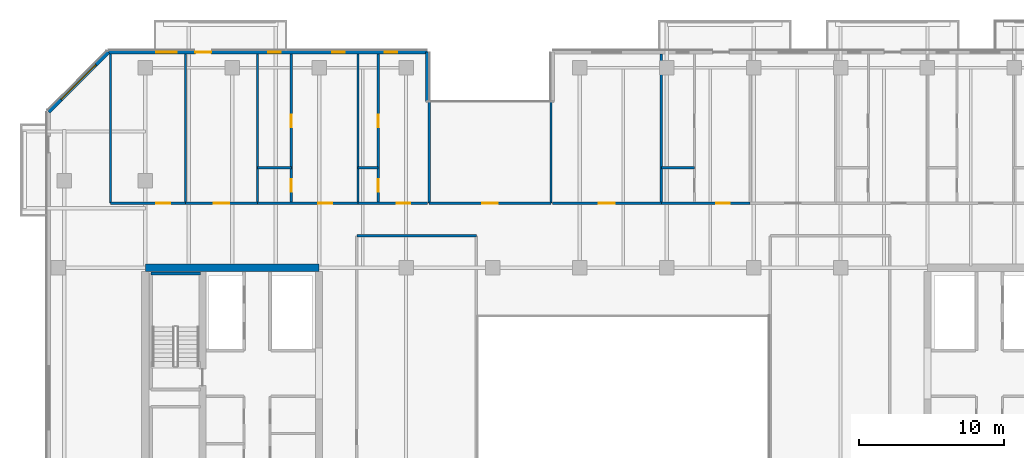
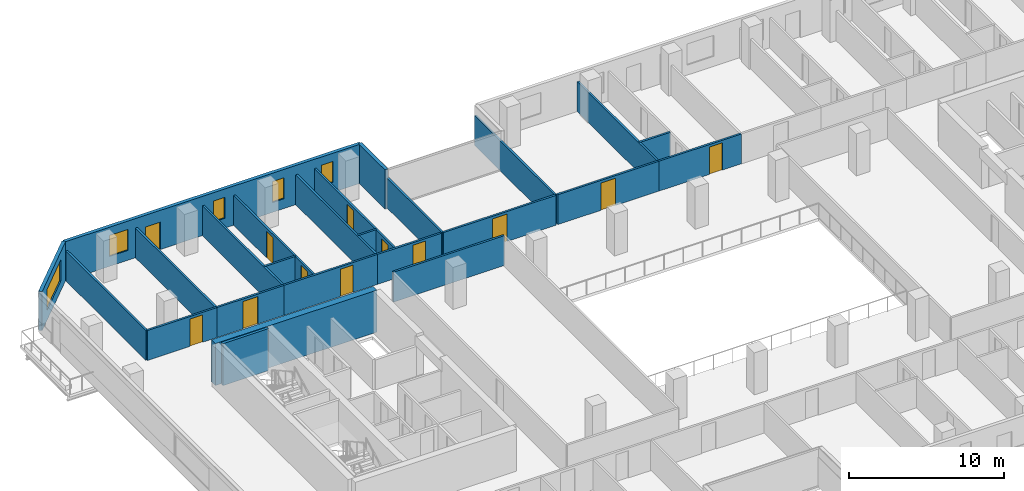
# One storey, part 13 of 23: 25 walls, 12 doors, 5 windows, 17 openings.
"""IFC4 building model written with IfcOpenShell, lengths in metres."""

from ifc_helpers import new_model, si_unit, direction, frame, frame_2d, origin, place, context, subcontext, project, spatial, rectangle, extrude, material, layer, layer_set, type_object, element, fill, save


model = new_model("IFC4")

# Units and contexts
model_context = context("Model", 3, precision=1e-05, world=origin(), true_north=direction((0.0, 1.0)))
body_context = subcontext(model_context, "Body", "Model", "MODEL_VIEW")
ifc_project = project(units=[si_unit("LENGTHUNIT", "METRE"), si_unit("AREAUNIT", "SQUARE_METRE"), si_unit("VOLUMEUNIT", "CUBIC_METRE"), si_unit("PLANEANGLEUNIT", "RADIAN"), si_unit("MASSUNIT", "GRAM", prefix="KILO")], contexts=[model_context])

# Site, building, storey
site_placement = place(None, origin())
site = spatial("IfcSite", under=ifc_project, at=site_placement, CompositionType="ELEMENT")
building_placement = place(site_placement, origin())
building = spatial("IfcBuilding", under=site, at=building_placement, Name="Tanjung Sevakor Pilgrim Tower", CompositionType="ELEMENT")
storey_placement = place(building_placement, frame((0.0, 0.0, 101.969970703125)))
storey = spatial("IfcBuildingStorey", under=building, at=storey_placement, Name="L28", CompositionType="ELEMENT", Elevation=101.969970703125)

# Walls
ifc_material_1 = material(Name="Concrete C60/75", Category="concrete")
ifc_layer_1 = layer(ifc_material_1, 0.5)
ifc_layer_set_1 = layer_set([ifc_layer_1], Name="WALL-CW-500")
wall_type_1 = type_object("IfcWallType", Name="WALL-CW-500", PredefinedType="SHEAR", material=ifc_layer_set_1)
wall_1_placement = place(storey_placement, frame((36.0, 42.60009765625, 0.0), z_axis=(0.0, 0.0, 1.0), x_axis=(-1.0, 0.0, 0.0)))
element("IfcWall", 1, at=wall_1_placement, inside=storey, type_object=wall_type_1, Name="L28 W Core North Shear Wall", PredefinedType="SHEAR", context=body_context, shape_type="SweptSolid", body=[
    extrude(rectangle(XDim=12.0, YDim=0.5, at=frame_2d((6.0, 0.0))), origin(), (0.0, 0.0, 1.0), 3.300048828125),
])
ifc_material_2 = material(Name="Concrete C40/50", Category="concrete")
ifc_layer_2 = layer(ifc_material_2, 0.14990234375)
ifc_layer_set_2 = layer_set([ifc_layer_2], Name="WT-COMP-150")
wall_type_2 = type_object("IfcWallType", Name="WT-COMP-150", PredefinedType="SOLIDWALL", material=ifc_layer_set_2)
wall_2_placement = place(storey_placement, frame((38.60009765625, 44.800048828125, 0.0), z_axis=(0.0, 0.0, 1.0), x_axis=(1.0, 0.0, 0.0)))
element("IfcWall", 2, at=wall_2_placement, inside=storey, type_object=wall_type_2, Name="L28 Partition IW-L28-026", PredefinedType="SOLIDWALL", context=body_context, shape_type="SweptSolid", body=[
    extrude(rectangle(XDim=8.25, YDim=0.14990234375, at=frame_2d((4.125, 0.0))), origin(), (0.0, 0.0, 1.0), 2.35009765625),
])

# Wall, opening, door
wall_3_placement = place(storey_placement, frame((43.60009765625, 47.050048828125, 0.0), z_axis=(0.0, 0.0, 1.0), x_axis=(1.0, 0.0, 0.0)))
wall_3 = element("IfcWall", 3, at=wall_3_placement, inside=storey, type_object=wall_type_2, Name="L28 Partition IW-L28-044", PredefinedType="SOLIDWALL", context=body_context, shape_type="SweptSolid", body=[
    extrude(rectangle(XDim=8.39990234375, YDim=0.14990234375, at=frame_2d((4.199951171875, 0.0))), origin(), (0.0, 0.0, 1.0), 2.35009765625),
])
opening_1_placement = place(wall_3_placement, frame((3.64990234375, 0.0, 0.0)))
opening_1 = element("IfcOpeningElement", 4, at=opening_1_placement, cuts=wall_3, Name="Opening ID-RM2", PredefinedType="OPENING", context=body_context, shape_type="SweptSolid", body=[
    extrude(rectangle(XDim=1.10009765625, YDim=2.14990234375, at=frame_2d((0.550048828125, 1.074951171875))), frame((0.0, 0.0849609375, 0.0), z_axis=(0.0, -1.0, 0.0), x_axis=(1.0, 0.0, 0.0)), (0.0, 0.0, 1.0), 0.169921875),
])
ifc_material_3 = material(Name="Hardwood Timber", Category="wood")
door_type_1 = type_object("IfcDoorType", Name="DT-INT-1100", OperationType="NOTDEFINED", PredefinedType="DOOR", material=ifc_material_3)
door_1_placement = place(opening_1_placement, origin())
door_1 = element("IfcDoor", 5, at=door_1_placement, inside=storey, type_object=door_type_1, Name="L28 North Cleft Prayer Room Door", OperationType="SINGLE_SWING_LEFT", OverallHeight=2.14990234375, OverallWidth=1.10009765625, PredefinedType="DOOR", context=body_context, shape_type="SweptSolid", body=[
    extrude(rectangle(XDim=1.10009765625, YDim=2.14990234375, at=frame_2d((0.550048828125, 1.074951171875))), frame((0.0, 0.02490234375, 0.0), z_axis=(0.0, -1.0, 0.0), x_axis=(1.0, 0.0, 0.0)), (0.0, 0.0, 1.0), 0.050048828125),
])
fill(opening_1, door_1)

# Walls
for number, where, z_axis, x_axis, name in (
    (6, (43.60009765625, 47.050048828125, 0.0), (0.0, 0.0, 1.0), (0.0, 1.0, 0.0), "L28 Partition IW-L28-045"),
    (7, (52.0, 47.050048828125, 0.0), (0.0, 0.0, 1.0), (0.0, 1.0, 0.0), "L28 Partition IW-L28-046"),
    (8, (21.60009765625, 47.050048828125, 0.0), (0.0, 0.0, 1.0), (0.0, 1.0, 0.0), "L28 Partition IW-L28-080"),
    (9, (26.770751953125, 47.050048828125, 0.0), (0.0, 0.0, 1.0), (0.0, 1.0, 0.0), "L28 Partition IW-L28-081"),
):
    element("IfcWall", number, at=place(storey_placement, frame(where, z_axis=z_axis, x_axis=x_axis)), inside=storey, type_object=wall_type_2, Name=name, PredefinedType="SOLIDWALL", context=body_context, shape_type="SweptSolid", body=[
        extrude(rectangle(XDim=10.300048828125, YDim=0.14990234375, at=frame_2d((5.14990234375, 0.0))), origin(), (0.0, 0.0, 1.0), 2.35009765625),
    ])

# Wall, opening, door
wall_4_placement = place(storey_placement, frame((21.60009765625, 47.050048828125, 0.0), z_axis=(0.0, 0.0, 1.0), x_axis=(1.0, 0.0, 0.0)))
wall_4 = element("IfcWall", 10, at=wall_4_placement, inside=storey, type_object=wall_type_2, Name="L28 Partition IW-L28-082", PredefinedType="SOLIDWALL", context=body_context, shape_type="SweptSolid", body=[
    extrude(rectangle(XDim=5.170654296875, YDim=0.14990234375, at=frame_2d((2.58544921875, 0.0))), origin(), (0.0, 0.0, 1.0), 2.35009765625),
])
opening_2_placement = place(wall_4_placement, frame((3.160400390625, 0.0, 0.0)))
opening_2 = element("IfcOpeningElement", 11, at=opening_2_placement, cuts=wall_4, Name="Opening ID-FD2", PredefinedType="OPENING", context=body_context, shape_type="SweptSolid", body=[
    extrude(rectangle(XDim=0.949951171875, YDim=2.14990234375, at=frame_2d((0.47509765625, 1.074951171875))), frame((0.0, 0.0849609375, 0.0), z_axis=(0.0, -1.0, 0.0), x_axis=(1.0, 0.0, 0.0)), (0.0, 0.0, 1.0), 0.169921875),
])
ifc_material_4 = material(Name="Fire-Rated Timber", Category="wood")
door_type_2 = type_object("IfcDoorType", Name="DT-FIRE-950", OperationType="NOTDEFINED", PredefinedType="DOOR", material=ifc_material_4)
door_2_placement = place(opening_2_placement, origin())
door_2 = element("IfcDoor", 12, at=door_2_placement, inside=storey, type_object=door_type_2, Name="Study Room Entrance", OperationType="SINGLE_SWING_RIGHT", OverallHeight=2.14990234375, OverallWidth=0.949951171875, PredefinedType="DOOR", context=body_context, shape_type="SweptSolid", body=[
    extrude(rectangle(XDim=0.949951171875, YDim=2.14990234375, at=frame_2d((0.47509765625, 1.074951171875))), frame((0.0, 0.02490234375, 0.0), z_axis=(0.0, -1.0, 0.0), x_axis=(1.0, 0.0, 0.0)), (0.0, 0.0, 1.0), 0.050048828125),
])
fill(opening_2, door_2)

# Wall
wall_5_placement = place(storey_placement, frame((31.75, 47.050048828125, 0.0), z_axis=(0.0, 0.0, 1.0), x_axis=(0.0, 1.0, 0.0)))
element("IfcWall", 13, at=wall_5_placement, inside=storey, type_object=wall_type_2, Name="L28 Partition IW-L28-083", PredefinedType="SOLIDWALL", context=body_context, shape_type="SweptSolid", body=[
    extrude(rectangle(XDim=10.300048828125, YDim=0.14990234375, at=frame_2d((5.14990234375, 0.0))), origin(), (0.0, 0.0, 1.0), 2.35009765625),
])

# Wall, opening, door
wall_6_placement = place(storey_placement, frame((26.770751953125, 47.050048828125, 0.0), z_axis=(0.0, 0.0, 1.0), x_axis=(1.0, 0.0, 0.0)))
wall_6 = element("IfcWall", 14, at=wall_6_placement, inside=storey, type_object=wall_type_2, Name="L28 Partition IW-L28-084", PredefinedType="SOLIDWALL", context=body_context, shape_type="SweptSolid", body=[
    extrude(rectangle(XDim=4.979248046875, YDim=0.14990234375, at=frame_2d((2.48974609375, 0.0))), origin(), (0.0, 0.0, 1.0), 2.35009765625),
])
opening_3_placement = place(wall_6_placement, frame((1.939697265625, 0.0, 0.0)))
opening_3 = element("IfcOpeningElement", 15, at=opening_3_placement, cuts=wall_6, Name="Opening ID-FD0", PredefinedType="OPENING", context=body_context, shape_type="SweptSolid", body=[
    extrude(rectangle(XDim=1.10009765625, YDim=2.14990234375, at=frame_2d((0.550048828125, 1.074951171875))), frame((0.0, 0.0849609375, 0.0), z_axis=(0.0, -1.0, 0.0), x_axis=(1.0, 0.0, 0.0)), (0.0, 0.0, 1.0), 0.169921875),
])
ifc_material_5 = material(Name="Fire-Rated Steel S355J2", Category="steel")
door_type_3 = type_object("IfcDoorType", Name="DT-FIRE-1100", OperationType="NOTDEFINED", PredefinedType="DOOR", material=ifc_material_5)
door_3_placement = place(opening_3_placement, origin())
door_3 = element("IfcDoor", 16, at=door_3_placement, inside=storey, type_object=door_type_3, Name="Seminar Room Door", OperationType="SINGLE_SWING_LEFT", OverallHeight=2.14990234375, OverallWidth=1.10009765625, PredefinedType="DOOR", context=body_context, shape_type="SweptSolid", body=[
    extrude(rectangle(XDim=1.10009765625, YDim=2.14990234375, at=frame_2d((0.550048828125, 1.074951171875))), frame((0.0, 0.02490234375, 0.0), z_axis=(0.0, -1.0, 0.0), x_axis=(1.0, 0.0, 0.0)), (0.0, 0.0, 1.0), 0.050048828125),
])
fill(opening_3, door_3)

# Wall
wall_7_placement = place(storey_placement, frame((38.6923828125, 47.050048828125, 0.0), z_axis=(0.0, 0.0, 1.0), x_axis=(0.0, 1.0, 0.0)))
element("IfcWall", 17, at=wall_7_placement, inside=storey, type_object=wall_type_2, Name="L28 Partition IW-L28-085", PredefinedType="SOLIDWALL", context=body_context, shape_type="SweptSolid", body=[
    extrude(rectangle(XDim=10.300048828125, YDim=0.14990234375, at=frame_2d((5.14990234375, 0.0))), origin(), (0.0, 0.0, 1.0), 2.35009765625),
])

# Wall, opening, door
wall_8_placement = place(storey_placement, frame((31.75, 47.050048828125, 0.0), z_axis=(0.0, 0.0, 1.0), x_axis=(1.0, 0.0, 0.0)))
wall_8 = element("IfcWall", 18, at=wall_8_placement, inside=storey, type_object=wall_type_2, Name="L28 Partition IW-L28-088", PredefinedType="SOLIDWALL", context=body_context, shape_type="SweptSolid", body=[
    extrude(rectangle(XDim=6.9423828125, YDim=0.14990234375, at=frame_2d((3.47119140625, 0.0))), origin(), (0.0, 0.0, 1.0), 2.35009765625),
])
opening_4_placement = place(wall_8_placement, frame((4.201171875, 0.0, 0.0)))
opening_4 = element("IfcOpeningElement", 19, at=opening_4_placement, cuts=wall_8, Name="Opening ID-FD2", PredefinedType="OPENING", context=body_context, shape_type="SweptSolid", body=[
    extrude(rectangle(XDim=0.949951171875, YDim=2.14990234375, at=frame_2d((0.47509765625, 1.074951171875))), frame((0.0, 0.0849609375, 0.0), z_axis=(0.0, -1.0, 0.0), x_axis=(1.0, 0.0, 0.0)), (0.0, 0.0, 1.0), 0.169921875),
])
door_4_placement = place(opening_4_placement, origin())
door_4 = element("IfcDoor", 20, at=door_4_placement, inside=storey, type_object=door_type_2, Name="Hostel Quad Entrance", OperationType="SINGLE_SWING_RIGHT", OverallHeight=2.14990234375, OverallWidth=0.949951171875, PredefinedType="DOOR", context=body_context, shape_type="SweptSolid", body=[
    extrude(rectangle(XDim=0.949951171875, YDim=2.14990234375, at=frame_2d((0.47509765625, 1.074951171875))), frame((0.0, 0.02490234375, 0.0), z_axis=(0.0, -1.0, 0.0), x_axis=(1.0, 0.0, 0.0)), (0.0, 0.0, 1.0), 0.050048828125),
])
fill(opening_4, door_4)

wall_9_placement = place(storey_placement, frame((38.6923828125, 47.050048828125, 0.0), z_axis=(0.0, 0.0, 1.0), x_axis=(1.0, 0.0, 0.0)))
wall_9 = element("IfcWall", 21, at=wall_9_placement, inside=storey, type_object=wall_type_2, Name="L28 Partition IW-L28-091", PredefinedType="SOLIDWALL", context=body_context, shape_type="SweptSolid", body=[
    extrude(rectangle(XDim=4.78759765625, YDim=0.14990234375, at=frame_2d((2.393798828125, 0.0))), origin(), (0.0, 0.0, 1.0), 2.35009765625),
])
opening_5_placement = place(wall_9_placement, frame((2.652587890625, 0.0, 0.0)))
opening_5 = element("IfcOpeningElement", 22, at=opening_5_placement, cuts=wall_9, Name="Opening ID-FD2", PredefinedType="OPENING", context=body_context, shape_type="SweptSolid", body=[
    extrude(rectangle(XDim=0.949951171875, YDim=2.14990234375, at=frame_2d((0.47509765625, 1.074951171875))), frame((0.0, 0.0849609375, 0.0), z_axis=(0.0, -1.0, 0.0), x_axis=(1.0, 0.0, 0.0)), (0.0, 0.0, 1.0), 0.169921875),
])
door_5_placement = place(opening_5_placement, origin())
door_5 = element("IfcDoor", 23, at=door_5_placement, inside=storey, type_object=door_type_2, Name="Hostel Quad Entrance", OperationType="SINGLE_SWING_LEFT", OverallHeight=2.14990234375, OverallWidth=0.949951171875, PredefinedType="DOOR", context=body_context, shape_type="SweptSolid", body=[
    extrude(rectangle(XDim=0.949951171875, YDim=2.14990234375, at=frame_2d((0.47509765625, 1.074951171875))), frame((0.0, 0.02490234375, 0.0), z_axis=(0.0, -1.0, 0.0), x_axis=(1.0, 0.0, 0.0)), (0.0, 0.0, 1.0), 0.050048828125),
])
fill(opening_5, door_5)

# Wall
wall_10_placement = place(storey_placement, frame((59.622802734375, 47.050048828125, 0.0), z_axis=(0.0, 0.0, 1.0), x_axis=(0.0, 1.0, 0.0)))
element("IfcWall", 24, at=wall_10_placement, inside=storey, type_object=wall_type_2, Name="L28 Partition IW-L28-093", PredefinedType="SOLIDWALL", context=body_context, shape_type="SweptSolid", body=[
    extrude(rectangle(XDim=10.300048828125, YDim=0.14990234375, at=frame_2d((5.14990234375, 0.0))), origin(), (0.0, 0.0, 1.0), 2.35009765625),
])

# Wall, opening, door
wall_11_placement = place(storey_placement, frame((52.1201171875, 47.050048828125, 0.0), z_axis=(0.0, 0.0, 1.0), x_axis=(1.0, 0.0, 0.0)))
wall_11 = element("IfcWall", 25, at=wall_11_placement, inside=storey, type_object=wall_type_2, Name="L28 Partition IW-L28-094", PredefinedType="SOLIDWALL", context=body_context, shape_type="SweptSolid", body=[
    extrude(rectangle(XDim=7.502685546875, YDim=0.14990234375, at=frame_2d((3.75146484375, 0.0))), origin(), (0.0, 0.0, 1.0), 2.35009765625),
])
opening_6_placement = place(wall_11_placement, frame((3.201416015625, 0.0, 0.0)))
opening_6 = element("IfcOpeningElement", 26, at=opening_6_placement, cuts=wall_11, Name="Opening ID-FD0", PredefinedType="OPENING", context=body_context, shape_type="SweptSolid", body=[
    extrude(rectangle(XDim=1.10009765625, YDim=2.14990234375, at=frame_2d((0.550048828125, 1.074951171875))), frame((0.0, 0.0849609375, 0.0), z_axis=(0.0, -1.0, 0.0), x_axis=(1.0, 0.0, 0.0)), (0.0, 0.0, 1.0), 0.169921875),
])
door_6_placement = place(opening_6_placement, origin())
door_6 = element("IfcDoor", 27, at=door_6_placement, inside=storey, type_object=door_type_3, Name="Council Room Door", OperationType="SINGLE_SWING_RIGHT", OverallHeight=2.14990234375, OverallWidth=1.10009765625, PredefinedType="DOOR", context=body_context, shape_type="SweptSolid", body=[
    extrude(rectangle(XDim=1.10009765625, YDim=2.14990234375, at=frame_2d((0.550048828125, 1.074951171875))), frame((0.0, 0.02490234375, 0.0), z_axis=(0.0, -1.0, 0.0), x_axis=(1.0, 0.0, 0.0)), (0.0, 0.0, 1.0), 0.050048828125),
])
fill(opening_6, door_6)

wall_12_placement = place(storey_placement, frame((59.622802734375, 47.050048828125, 0.0), z_axis=(0.0, 0.0, 1.0), x_axis=(1.0, 0.0, 0.0)))
wall_12 = element("IfcWall", 28, at=wall_12_placement, inside=storey, type_object=wall_type_2, Name="L28 Partition IW-L28-098", PredefinedType="SOLIDWALL", context=body_context, shape_type="SweptSolid", body=[
    extrude(rectangle(XDim=6.138671875, YDim=0.14990234375, at=frame_2d((3.0693359375, 0.0))), origin(), (0.0, 0.0, 1.0), 2.35009765625),
])
opening_7_placement = place(wall_12_placement, frame((3.782958984375, 0.0, 0.0)))
opening_7 = element("IfcOpeningElement", 29, at=opening_7_placement, cuts=wall_12, Name="Opening ID-FD2", PredefinedType="OPENING", context=body_context, shape_type="SweptSolid", body=[
    extrude(rectangle(XDim=0.949951171875, YDim=2.14990234375, at=frame_2d((0.47509765625, 1.074951171875))), frame((0.0, 0.0849609375, 0.0), z_axis=(0.0, -1.0, 0.0), x_axis=(1.0, 0.0, 0.0)), (0.0, 0.0, 1.0), 0.169921875),
])
door_7_placement = place(opening_7_placement, origin())
door_7 = element("IfcDoor", 30, at=door_7_placement, inside=storey, type_object=door_type_2, Name="Hostel Quad Entrance", OperationType="SINGLE_SWING_LEFT", OverallHeight=2.14990234375, OverallWidth=0.949951171875, PredefinedType="DOOR", context=body_context, shape_type="SweptSolid", body=[
    extrude(rectangle(XDim=0.949951171875, YDim=2.14990234375, at=frame_2d((0.47509765625, 1.074951171875))), frame((0.0, 0.02490234375, 0.0), z_axis=(0.0, -1.0, 0.0), x_axis=(1.0, 0.0, 0.0)), (0.0, 0.0, 1.0), 0.050048828125),
])
fill(opening_7, door_7)

# Wall
ifc_material_6 = material(Name="Precast concrete C45/55", Category="concrete")
ifc_layer_3 = layer(ifc_material_6, 0.25)
ifc_layer_set_3 = layer_set([ifc_layer_3], Name="WT-EW-STN3")
wall_type_3 = type_object("IfcWallType", Name="WT-EW-STN3", PredefinedType="SOLIDWALL", material=ifc_layer_set_3)
wall_13_placement = place(storey_placement, frame((43.47509765625, 54.074951171875, 0.0), z_axis=(0.0, 0.0, 1.0), x_axis=(0.0, 1.0, 0.0)))
element("IfcWall", 31, at=wall_13_placement, inside=storey, type_object=wall_type_3, Name="L28 MAIN Exterior Wall 12", PredefinedType="SOLIDWALL", context=body_context, shape_type="SweptSolid", body=[
    extrude(rectangle(XDim=3.400146484375, YDim=0.25, at=frame_2d((1.7001953125, 0.0))), origin(), (0.0, 0.0, 1.0), 3.080078125),
])

# Wall, openings, door, windows
wall_14_placement = place(storey_placement, frame((43.47509765625, 57.47509765625, 0.0), z_axis=(0.0, 0.0, 1.0), x_axis=(-1.0, 0.0, 0.0)))
wall_14 = element("IfcWall", 32, at=wall_14_placement, inside=storey, type_object=wall_type_3, Name="L28 MAIN Exterior Wall 13", PredefinedType="SOLIDWALL", context=body_context, shape_type="SweptSolid", body=[
    extrude(rectangle(XDim=22.023193359375, YDim=0.25, at=frame_2d((11.01171875, 0.0))), origin(), (0.0, 0.0, 1.0), 3.080078125),
])
opening_8_placement = place(wall_14_placement, frame((14.925048828125, 0.0, 0.0)))
opening_8 = element("IfcOpeningElement", 33, at=opening_8_placement, cuts=wall_14, Name="Opening ED-BAL-1100", PredefinedType="OPENING", context=body_context, shape_type="SweptSolid", body=[
    extrude(rectangle(XDim=1.10009765625, YDim=2.14990234375, at=frame_2d((0.550048828125, 1.074951171875))), frame((0.0, 0.135009765625, 0.0), z_axis=(0.0, -1.0, 0.0), x_axis=(1.0, 0.0, 0.0)), (0.0, 0.0, 1.0), 0.27001953125),
])
opening_9_placement = place(wall_14_placement, frame((17.3095703125, 0.0, 0.780029296875)))
opening_9 = element("IfcOpeningElement", 34, at=opening_9_placement, cuts=wall_14, Name="Opening WN-END", PredefinedType="OPENING", context=body_context, shape_type="SweptSolid", body=[
    extrude(rectangle(XDim=1.39990234375, YDim=1.64990234375, at=frame_2d((0.699951171875, 0.824951171875))), frame((0.0, 0.135009765625, 0.0), z_axis=(0.0, -1.0, 0.0), x_axis=(1.0, 0.0, 0.0)), (0.0, 0.0, 1.0), 0.27001953125),
])
opening_10_placement = place(wall_14_placement, frame((10.125, 0.0, 0.780029296875)))
opening_10 = element("IfcOpeningElement", 35, at=opening_10_placement, cuts=wall_14, Name="Opening WN-SLM", PredefinedType="OPENING", context=body_context, shape_type="SweptSolid", body=[
    extrude(rectangle(XDim=0.85009765625, YDim=1.64990234375, at=frame_2d((0.425048828125, 0.824951171875))), frame((0.0, 0.135009765625, 0.0), z_axis=(0.0, -1.0, 0.0), x_axis=(1.0, 0.0, 0.0)), (0.0, 0.0, 1.0), 0.27001953125),
])
opening_11_placement = place(wall_14_placement, frame((5.7138671875, 0.0, 0.780029296875)))
opening_11 = element("IfcOpeningElement", 36, at=opening_11_placement, cuts=wall_14, Name="Opening WN-SLM", PredefinedType="OPENING", context=body_context, shape_type="SweptSolid", body=[
    extrude(rectangle(XDim=0.85009765625, YDim=1.64990234375, at=frame_2d((0.425048828125, 0.824951171875))), frame((0.0, 0.135009765625, 0.0), z_axis=(0.0, -1.0, 0.0), x_axis=(1.0, 0.0, 0.0)), (0.0, 0.0, 1.0), 0.27001953125),
])
opening_12_placement = place(wall_14_placement, frame((2.080078125, 0.0, 0.780029296875)))
opening_12 = element("IfcOpeningElement", 37, at=opening_12_placement, cuts=wall_14, Name="Opening WN-SLM", PredefinedType="OPENING", context=body_context, shape_type="SweptSolid", body=[
    extrude(rectangle(XDim=0.85009765625, YDim=1.64990234375, at=frame_2d((0.425048828125, 0.824951171875))), frame((0.0, 0.135009765625, 0.0), z_axis=(0.0, -1.0, 0.0), x_axis=(1.0, 0.0, 0.0)), (0.0, 0.0, 1.0), 0.27001953125),
])
ifc_material_7 = material(Name="Anodised Aluminium and Laminated Glass", Category="aluminium")
door_type_4 = type_object("IfcDoorType", Name="DTYP-ED-BAL-1100", OperationType="NOTDEFINED", PredefinedType="DOOR", material=ifc_material_7)
door_8_placement = place(opening_8_placement, frame((1.10009765625, 0.0, 0.0), z_axis=(0.0, 0.0, 1.0), x_axis=(-1.0, 0.0, 0.0)))
door_8 = element("IfcDoor", 38, at=door_8_placement, inside=storey, type_object=door_type_4, Name="L28 Balcony Door MAIN-N1", OperationType="SINGLE_SWING_LEFT", OverallHeight=2.14990234375, OverallWidth=1.10009765625, PredefinedType="DOOR", context=body_context, shape_type="SweptSolid", body=[
    extrude(rectangle(XDim=1.10009765625, YDim=2.14990234375, at=frame_2d((0.550048828125, 1.074951171875))), frame((0.0, 0.02490234375, 0.0), z_axis=(0.0, -1.0, 0.0), x_axis=(1.0, 0.0, 0.0)), (0.0, 0.0, 1.0), 0.050048828125),
])
fill(opening_8, door_8)
ifc_material_8 = material(Name="Thermally Broken Aluminium and Low-E Glass", Category="aluminium")
window_type_1 = type_object("IfcWindowType", Name="WTYP-WN-END", PartitioningType="SINGLE_PANEL", PredefinedType="WINDOW", material=ifc_material_8)
window_1_placement = place(opening_9_placement, origin())
window_1 = element("IfcWindow", 39, at=window_1_placement, inside=storey, type_object=window_type_1, Name="L28 Facade Window 01", OverallHeight=1.64990234375, OverallWidth=1.39990234375, PartitioningType="SINGLE_PANEL", PredefinedType="WINDOW", context=body_context, shape_type="SweptSolid", body=[
    extrude(rectangle(XDim=1.39990234375, YDim=1.64990234375, at=frame_2d((0.699951171875, 0.824951171875))), frame((0.0, 0.030029296875, 0.0), z_axis=(0.0, -1.0, 0.0), x_axis=(1.0, 0.0, 0.0)), (0.0, 0.0, 1.0), 0.06005859375),
])
fill(opening_9, window_1)
ifc_material_9 = material(Name="Thermally Broken Aluminium and Low-E Glass", Category="aluminium")
window_type_2 = type_object("IfcWindowType", Name="WTYP-WN-SLM", PartitioningType="SINGLE_PANEL", PredefinedType="WINDOW", material=ifc_material_9)
window_2_placement = place(opening_10_placement, origin())
window_2 = element("IfcWindow", 40, at=window_2_placement, inside=storey, type_object=window_type_2, Name="L28 Facade Window 02", OverallHeight=1.64990234375, OverallWidth=0.85009765625, PartitioningType="SINGLE_PANEL", PredefinedType="WINDOW", context=body_context, shape_type="SweptSolid", body=[
    extrude(rectangle(XDim=0.85009765625, YDim=1.64990234375, at=frame_2d((0.425048828125, 0.824951171875))), frame((0.0, 0.030029296875, 0.0), z_axis=(0.0, -1.0, 0.0), x_axis=(1.0, 0.0, 0.0)), (0.0, 0.0, 1.0), 0.06005859375),
])
fill(opening_10, window_2)
window_3_placement = place(opening_11_placement, origin())
window_3 = element("IfcWindow", 41, at=window_3_placement, inside=storey, type_object=window_type_2, Name="L28 Facade Window 03", OverallHeight=1.64990234375, OverallWidth=0.85009765625, PartitioningType="SINGLE_PANEL", PredefinedType="WINDOW", context=body_context, shape_type="SweptSolid", body=[
    extrude(rectangle(XDim=0.85009765625, YDim=1.64990234375, at=frame_2d((0.425048828125, 0.824951171875))), frame((0.0, 0.030029296875, 0.0), z_axis=(0.0, -1.0, 0.0), x_axis=(1.0, 0.0, 0.0)), (0.0, 0.0, 1.0), 0.06005859375),
])
fill(opening_11, window_3)
window_4_placement = place(opening_12_placement, origin())
window_4 = element("IfcWindow", 42, at=window_4_placement, inside=storey, type_object=window_type_2, Name="L28 Facade Window 04", OverallHeight=1.64990234375, OverallWidth=0.85009765625, PartitioningType="SINGLE_PANEL", PredefinedType="WINDOW", context=body_context, shape_type="SweptSolid", body=[
    extrude(rectangle(XDim=0.85009765625, YDim=1.64990234375, at=frame_2d((0.425048828125, 0.824951171875))), frame((0.0, 0.030029296875, 0.0), z_axis=(0.0, -1.0, 0.0), x_axis=(1.0, 0.0, 0.0)), (0.0, 0.0, 1.0), 0.06005859375),
])
fill(opening_12, window_4)

# Wall, opening, window
wall_15_placement = place(storey_placement, frame((21.451904296875, 57.47509765625, 0.0), z_axis=(0.0, 0.0, 1.0), x_axis=(-0.707106781187, -0.707106781187, 0.0)))
wall_15 = element("IfcWall", 43, at=wall_15_placement, inside=storey, type_object=wall_type_3, Name="L28 MAIN Sculpted Corner Wall 13", PredefinedType="SOLIDWALL", context=body_context, shape_type="SweptSolid", body=[
    extrude(rectangle(XDim=5.83642578125, YDim=0.25, at=frame_2d((2.918212890625, 0.0))), origin(), (0.0, 0.0, 1.0), 3.080078125),
])
opening_13_placement = place(wall_15_placement, frame((1.218017578125, 0.0, 0.780029296875)))
opening_13 = element("IfcOpeningElement", 44, at=opening_13_placement, cuts=wall_15, Name="Opening WN-CHM-1660", PredefinedType="OPENING", context=body_context, shape_type="SweptSolid", body=[
    extrude(rectangle(XDim=3.39990234375, YDim=1.659912109375, at=frame_2d((1.699951171875, 0.830078125))), frame((0.0, 0.135009765625, 0.0), z_axis=(0.0, -1.0, 0.0), x_axis=(1.0, 0.0, 0.0)), (0.0, 0.0, 1.0), 0.27001953125),
])
ifc_material_10 = material(Name="Thermally Broken Aluminium and Low-E Glass", Category="aluminium")
window_type_3 = type_object("IfcWindowType", Name="WTYP-WN-CHM-1660", PartitioningType="DOUBLE_PANEL_VERTICAL", PredefinedType="WINDOW", material=ifc_material_10)
window_5_placement = place(opening_13_placement, origin())
window_5 = element("IfcWindow", 45, at=window_5_placement, inside=storey, type_object=window_type_3, Name="L28 Facade Window 01", OverallHeight=1.659912109375, OverallWidth=3.39990234375, PartitioningType="SINGLE_PANEL", PredefinedType="WINDOW", context=body_context, shape_type="SweptSolid", body=[
    extrude(rectangle(XDim=3.39990234375, YDim=1.659912109375, at=frame_2d((1.699951171875, 0.830078125))), frame((0.0, 0.030029296875, 0.0), z_axis=(0.0, -1.0, 0.0), x_axis=(1.0, 0.0, 0.0)), (0.0, 0.0, 1.0), 0.06005859375),
])
fill(opening_13, window_5)

# Walls
ifc_material_11 = material(Name="Concrete C40/50", Category="concrete")
ifc_layer_4 = layer(ifc_material_11, 0.199951171875)
ifc_layer_set_4 = layer_set([ifc_layer_4], Name="WT-FIRE-200")
wall_type_4 = type_object("IfcWallType", Name="WT-FIRE-200", PredefinedType="SOLIDWALL", material=ifc_layer_set_4)
wall_16_placement = place(storey_placement, frame((27.800048828125, 42.199951171875, 0.0), z_axis=(0.0, 0.0, 1.0), x_axis=(-1.0, 0.0, 0.0)))
element("IfcWall", 46, at=wall_16_placement, inside=storey, type_object=wall_type_4, Name="L28 TS-W2 Shaft Wall 2", PredefinedType="SOLIDWALL", context=body_context, shape_type="SweptSolid", body=[
    extrude(rectangle(XDim=3.400146484375, YDim=0.199951171875, at=frame_2d((1.7001953125, 0.0))), origin(), (0.0, 0.0, 1.0), 3.300048828125),
])
ifc_material_12 = material(Name="Gypsum Board Partition", Category="gypsum board")
ifc_layer_5 = layer(ifc_material_12, 0.14990234375)
ifc_layer_set_5 = layer_set([ifc_layer_5], Name="WT-PART-150")
wall_type_5 = type_object("IfcWallType", Name="WT-PART-150", PredefinedType="PARTITIONING", material=ifc_layer_set_5)
wall_17_placement = place(storey_placement, frame((31.75, 49.5, 0.0), z_axis=(0.0, 0.0, 1.0), x_axis=(1.0, 0.0, 0.0)))
element("IfcWall", 47, at=wall_17_placement, inside=storey, type_object=wall_type_5, Name="L28 Partition IW-L28-086", PredefinedType="PARTITIONING", context=body_context, shape_type="SweptSolid", body=[
    extrude(rectangle(XDim=2.330078125, YDim=0.14990234375, at=frame_2d((1.1650390625, 0.0))), origin(), (0.0, 0.0, 1.0), 2.35009765625),
])

# Wall, openings, doors
wall_18_placement = place(storey_placement, frame((34.080078125, 47.050048828125, 0.0), z_axis=(0.0, 0.0, 1.0), x_axis=(0.0, 1.0, 0.0)))
wall_18 = element("IfcWall", 48, at=wall_18_placement, inside=storey, type_object=wall_type_5, Name="L28 Partition IW-L28-087", PredefinedType="PARTITIONING", context=body_context, shape_type="SweptSolid", body=[
    extrude(rectangle(XDim=10.300048828125, YDim=0.14990234375, at=frame_2d((5.14990234375, 0.0))), origin(), (0.0, 0.0, 1.0), 2.35009765625),
])
opening_14_placement = place(wall_18_placement, frame((0.800048828125, 0.0, 0.0)))
opening_14 = element("IfcOpeningElement", 49, at=opening_14_placement, cuts=wall_18, Name="Opening ID-WC1", PredefinedType="OPENING", context=body_context, shape_type="SweptSolid", body=[
    extrude(rectangle(XDim=0.85009765625, YDim=2.10009765625, at=frame_2d((0.425048828125, 1.050048828125))), frame((0.0, 0.0849609375, 0.0), z_axis=(0.0, -1.0, 0.0), x_axis=(1.0, 0.0, 0.0)), (0.0, 0.0, 1.0), 0.169921875),
])
opening_15_placement = place(wall_18_placement, frame((5.25, 0.0, 0.0)))
opening_15 = element("IfcOpeningElement", 50, at=opening_15_placement, cuts=wall_18, Name="Opening ID-WC1", PredefinedType="OPENING", context=body_context, shape_type="SweptSolid", body=[
    extrude(rectangle(XDim=0.85009765625, YDim=2.10009765625, at=frame_2d((0.425048828125, 1.050048828125))), frame((0.0, 0.0849609375, 0.0), z_axis=(0.0, -1.0, 0.0), x_axis=(1.0, 0.0, 0.0)), (0.0, 0.0, 1.0), 0.169921875),
])
ifc_material_13 = material(Name="Moisture-Resistant Timber", Category="wood")
door_type_5 = type_object("IfcDoorType", Name="DT-INT-850", OperationType="NOTDEFINED", PredefinedType="DOOR", material=ifc_material_13)
door_9_placement = place(opening_14_placement, origin())
door_9 = element("IfcDoor", 51, at=door_9_placement, inside=storey, type_object=door_type_5, Name="Bathroom Door", OperationType="SINGLE_SWING_RIGHT", OverallHeight=2.10009765625, OverallWidth=0.85009765625, PredefinedType="DOOR", context=body_context, shape_type="SweptSolid", body=[
    extrude(rectangle(XDim=0.85009765625, YDim=2.10009765625, at=frame_2d((0.425048828125, 1.050048828125))), frame((0.0, 0.02490234375, 0.0), z_axis=(0.0, -1.0, 0.0), x_axis=(1.0, 0.0, 0.0)), (0.0, 0.0, 1.0), 0.050048828125),
])
fill(opening_14, door_9)
door_10_placement = place(opening_15_placement, origin())
door_10 = element("IfcDoor", 52, at=door_10_placement, inside=storey, type_object=door_type_5, Name="Study Nook Door", OperationType="SINGLE_SWING_LEFT", OverallHeight=2.10009765625, OverallWidth=0.85009765625, PredefinedType="DOOR", context=body_context, shape_type="SweptSolid", body=[
    extrude(rectangle(XDim=0.85009765625, YDim=2.10009765625, at=frame_2d((0.425048828125, 1.050048828125))), frame((0.0, 0.02490234375, 0.0), z_axis=(0.0, -1.0, 0.0), x_axis=(1.0, 0.0, 0.0)), (0.0, 0.0, 1.0), 0.050048828125),
])
fill(opening_15, door_10)

# Wall
wall_19_placement = place(storey_placement, frame((38.6923828125, 49.5, 0.0), z_axis=(0.0, 0.0, 1.0), x_axis=(1.0, 0.0, 0.0)))
element("IfcWall", 53, at=wall_19_placement, inside=storey, type_object=wall_type_5, Name="L28 Partition IW-L28-089", PredefinedType="PARTITIONING", context=body_context, shape_type="SweptSolid", body=[
    extrude(rectangle(XDim=1.3876953125, YDim=0.14990234375, at=frame_2d((0.69384765625, 0.0))), origin(), (0.0, 0.0, 1.0), 2.35009765625),
])

# Wall, openings, doors
wall_20_placement = place(storey_placement, frame((40.080078125, 47.050048828125, 0.0), z_axis=(0.0, 0.0, 1.0), x_axis=(0.0, 1.0, 0.0)))
wall_20 = element("IfcWall", 54, at=wall_20_placement, inside=storey, type_object=wall_type_5, Name="L28 Partition IW-L28-090", PredefinedType="PARTITIONING", context=body_context, shape_type="SweptSolid", body=[
    extrude(rectangle(XDim=10.300048828125, YDim=0.14990234375, at=frame_2d((5.14990234375, 0.0))), origin(), (0.0, 0.0, 1.0), 2.35009765625),
])
opening_16_placement = place(wall_20_placement, frame((0.800048828125, 0.0, 0.0)))
opening_16 = element("IfcOpeningElement", 55, at=opening_16_placement, cuts=wall_20, Name="Opening ID-WC1", PredefinedType="OPENING", context=body_context, shape_type="SweptSolid", body=[
    extrude(rectangle(XDim=0.85009765625, YDim=2.10009765625, at=frame_2d((0.425048828125, 1.050048828125))), frame((0.0, 0.0849609375, 0.0), z_axis=(0.0, -1.0, 0.0), x_axis=(1.0, 0.0, 0.0)), (0.0, 0.0, 1.0), 0.169921875),
])
opening_17_placement = place(wall_20_placement, frame((5.25, 0.0, 0.0)))
opening_17 = element("IfcOpeningElement", 56, at=opening_17_placement, cuts=wall_20, Name="Opening ID-WC1", PredefinedType="OPENING", context=body_context, shape_type="SweptSolid", body=[
    extrude(rectangle(XDim=0.85009765625, YDim=2.10009765625, at=frame_2d((0.425048828125, 1.050048828125))), frame((0.0, 0.0849609375, 0.0), z_axis=(0.0, -1.0, 0.0), x_axis=(1.0, 0.0, 0.0)), (0.0, 0.0, 1.0), 0.169921875),
])
door_11_placement = place(opening_16_placement, origin())
door_11 = element("IfcDoor", 57, at=door_11_placement, inside=storey, type_object=door_type_5, Name="Bathroom Door", OperationType="SINGLE_SWING_LEFT", OverallHeight=2.10009765625, OverallWidth=0.85009765625, PredefinedType="DOOR", context=body_context, shape_type="SweptSolid", body=[
    extrude(rectangle(XDim=0.85009765625, YDim=2.10009765625, at=frame_2d((0.425048828125, 1.050048828125))), frame((0.0, 0.02490234375, 0.0), z_axis=(0.0, -1.0, 0.0), x_axis=(1.0, 0.0, 0.0)), (0.0, 0.0, 1.0), 0.050048828125),
])
fill(opening_16, door_11)
door_12_placement = place(opening_17_placement, origin())
door_12 = element("IfcDoor", 58, at=door_12_placement, inside=storey, type_object=door_type_5, Name="Study Nook Door", OperationType="SINGLE_SWING_RIGHT", OverallHeight=2.10009765625, OverallWidth=0.85009765625, PredefinedType="DOOR", context=body_context, shape_type="SweptSolid", body=[
    extrude(rectangle(XDim=0.85009765625, YDim=2.10009765625, at=frame_2d((0.425048828125, 1.050048828125))), frame((0.0, 0.02490234375, 0.0), z_axis=(0.0, -1.0, 0.0), x_axis=(1.0, 0.0, 0.0)), (0.0, 0.0, 1.0), 0.050048828125),
])
fill(opening_17, door_12)

# Wall
wall_21_placement = place(storey_placement, frame((59.622802734375, 49.5, 0.0), z_axis=(0.0, 0.0, 1.0), x_axis=(1.0, 0.0, 0.0)))
element("IfcWall", 59, at=wall_21_placement, inside=storey, type_object=wall_type_5, Name="L28 Partition IW-L28-096", PredefinedType="PARTITIONING", context=body_context, shape_type="SweptSolid", body=[
    extrude(rectangle(XDim=2.297119140625, YDim=0.14990234375, at=frame_2d((1.1484375, 0.0))), origin(), (0.0, 0.0, 1.0), 2.35009765625),
])

save(model, "model.ifc")
